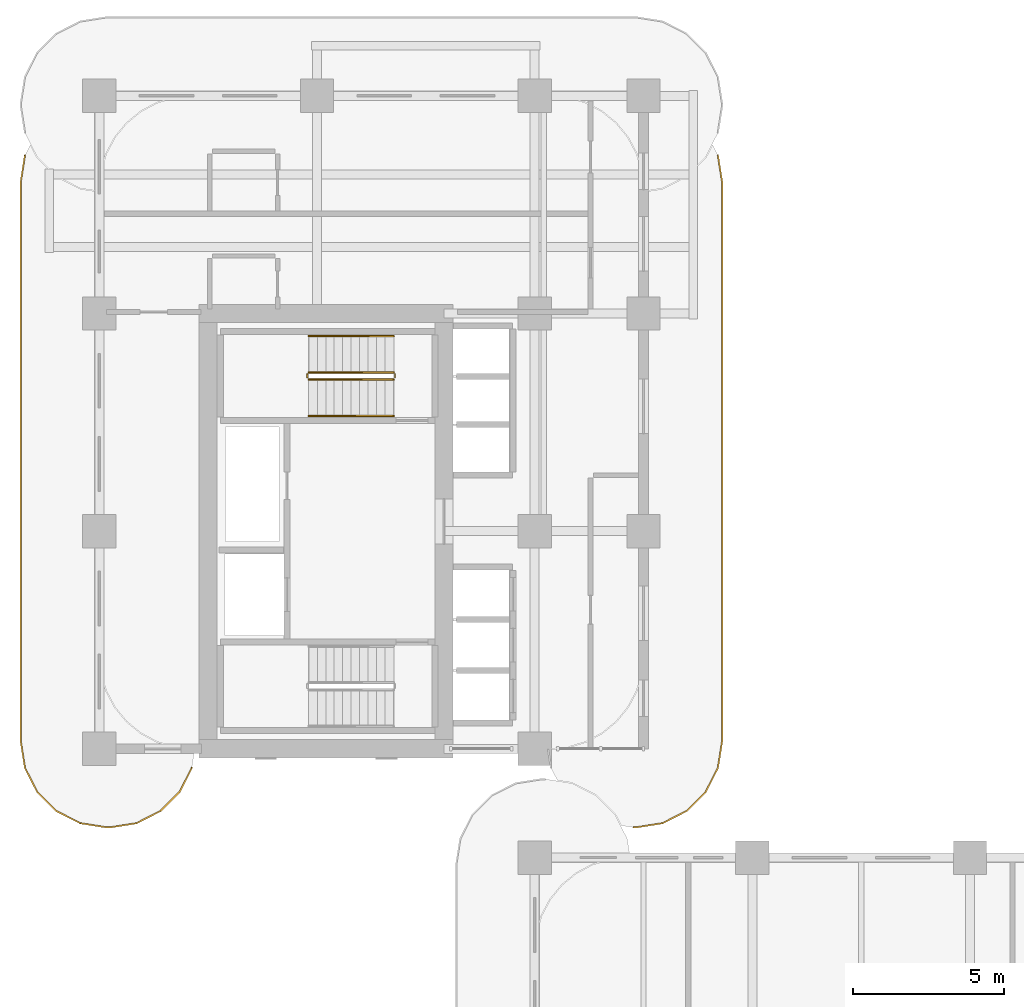
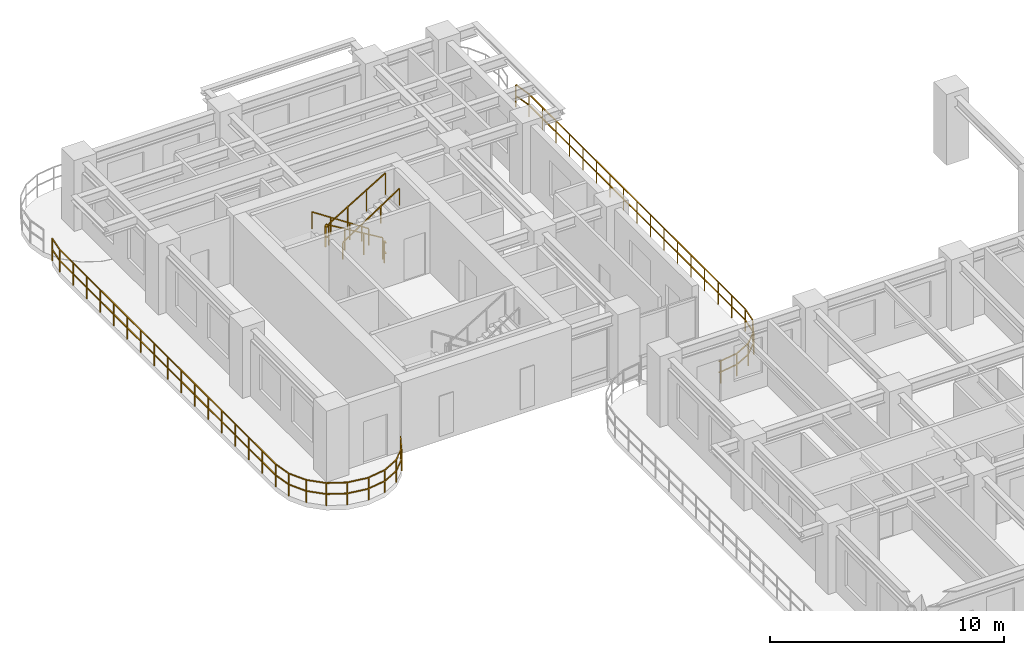
# One storey, part 18 of 19: 8 railings.
"""IFC4 building model written with IfcOpenShell, lengths in metres."""

from ifc_helpers import new_model, si_unit, derived_unit, direction, frame, origin, origin_2d, place, context, subcontext, project, spatial, rectangle, extrude, material, type_object, element, save


model = new_model("IFC4")

# Units and contexts
model_context = context("Model", 3, precision=1e-05, world=origin(), true_north=direction((0.0, 1.0)))
body_context = subcontext(model_context, "Body", "Model", "MODEL_VIEW")
ifc_project = project(units=[si_unit("LENGTHUNIT", "METRE"), si_unit("AREAUNIT", "SQUARE_METRE"), si_unit("VOLUMEUNIT", "CUBIC_METRE"), si_unit("PLANEANGLEUNIT", "RADIAN"), si_unit("MASSUNIT", "GRAM", prefix="KILO"), si_unit("THERMODYNAMICTEMPERATUREUNIT", "KELVIN"), si_unit("POWERUNIT", "WATT"), derived_unit("THERMALTRANSMITTANCEUNIT", [(si_unit("POWERUNIT", "WATT"), 1), (si_unit("AREAUNIT", "SQUARE_METRE"), -1), (si_unit("THERMODYNAMICTEMPERATUREUNIT", "KELVIN"), -1)])], contexts=[model_context])

# Site, building, storey
site_placement = place(None, origin())
site = spatial("IfcSite", under=ifc_project, at=site_placement, CompositionType="ELEMENT")
building_placement = place(site_placement, origin())
building = spatial("IfcBuilding", under=site, at=building_placement, Name="Zahravan Archway Hotel and Residences", CompositionType="ELEMENT")
storey_placement = place(building_placement, frame((0.0, 0.0, 32.39990234375)))
storey = spatial("IfcBuildingStorey", under=building, at=storey_placement, Name="L06", CompositionType="ELEMENT", Elevation=32.39990234375)

# Railings
ifc_material_1 = material(Name="Bronze & Laminated Glass Balustrade", Category="glass")
railing_type_1 = type_object("IfcRailingType", Name="RL-BAL-1200", PredefinedType="BALUSTRADE", material=ifc_material_1)
railing_1_placement = place(storey_placement, frame((3.060546875, 24.5693359375, 0.0)))
element("IfcRailing", 1, at=railing_1_placement, inside=storey, type_object=railing_type_1, Name="L06 Balustrade RL-SLB-BAL-L06-WB-1", PredefinedType="BALUSTRADE", context=body_context, shape_type="SweptSolid", body=[
    extrude(rectangle(XDim=0.048095703125, YDim=0.048095703125, at=origin_2d()), frame((0.0, 0.0, 1.17578125), z_axis=(-0.453991409995, -0.891006060389, 0.0), x_axis=(0.891006060389, -0.453991409995, 0.0)), (0.0, 0.0, 1.0), 0.8916015625),
    extrude(rectangle(XDim=0.048095703125, YDim=0.048095703125, at=origin_2d()), frame((0.0, 0.0, 0.60009765625), z_axis=(-0.453991409995, -0.891006060389, 0.0), x_axis=(0.891006060389, -0.453991409995, 0.0)), (0.0, 0.0, 1.0), 0.8916015625),
    extrude(rectangle(XDim=0.048095703125, YDim=0.048095703125, at=origin_2d()), frame((-0.40478515625, -0.79443359375, 1.17578125), z_axis=(-0.707106781187, -0.707106781187, 0.0), x_axis=(0.707106781187, -0.707106781187, 0.0)), (0.0, 0.0, 1.0), 0.891845703125),
    extrude(rectangle(XDim=0.048095703125, YDim=0.048095703125, at=origin_2d()), frame((-0.40478515625, -0.79443359375, 0.60009765625), z_axis=(-0.707106781187, -0.707106781187, 0.0), x_axis=(0.707106781187, -0.707106781187, 0.0)), (0.0, 0.0, 1.0), 0.891845703125),
    extrude(rectangle(XDim=0.048095703125, YDim=0.048095703125, at=origin_2d()), frame((-1.035400390625, -1.425048828125, 1.17578125), z_axis=(-0.891006060389, -0.453991409995, 0.0), x_axis=(0.453991409995, -0.891006060389, 0.0)), (0.0, 0.0, 1.0), 0.8916015625),
    extrude(rectangle(XDim=0.048095703125, YDim=0.048095703125, at=origin_2d()), frame((-1.035400390625, -1.425048828125, 0.60009765625), z_axis=(-0.891006060389, -0.453991409995, 0.0), x_axis=(0.453991409995, -0.891006060389, 0.0)), (0.0, 0.0, 1.0), 0.8916015625),
    extrude(rectangle(XDim=0.048095703125, YDim=0.048095703125, at=origin_2d()), frame((-1.829833984375, -1.829833984375, 1.17578125), z_axis=(-0.987700720307, -0.156356282588, 0.0), x_axis=(0.156356282588, -0.987700720307, 0.0)), (0.0, 0.0, 1.0), 0.8916015625),
    extrude(rectangle(XDim=0.048095703125, YDim=0.048095703125, at=origin_2d()), frame((-1.829833984375, -1.829833984375, 0.60009765625), z_axis=(-0.987700720307, -0.156356282588, 0.0), x_axis=(0.156356282588, -0.987700720307, 0.0)), (0.0, 0.0, 1.0), 0.8916015625),
    extrude(rectangle(XDim=0.048095703125, YDim=0.048095703125, at=origin_2d()), frame((-2.71044921875, -1.96923828125, 1.17578125), z_axis=(-1.0, 0.0, 0.0), x_axis=(0.0, -1.0, 0.0)), (0.0, 0.0, 1.0), 0.10009765625),
    extrude(rectangle(XDim=0.048095703125, YDim=0.048095703125, at=origin_2d()), frame((-2.71044921875, -1.96923828125, 0.60009765625), z_axis=(-1.0, 0.0, 0.0), x_axis=(0.0, -1.0, 0.0)), (0.0, 0.0, 1.0), 0.10009765625),
    extrude(rectangle(XDim=0.048095703125, YDim=0.048095703125, at=origin_2d()), frame((-2.810546875, -1.96923828125, 1.17578125), z_axis=(-0.987700720307, 0.156356282588, 0.0), x_axis=(-0.156356282588, -0.987700720307, 0.0)), (0.0, 0.0, 1.0), 0.8916015625),
    extrude(rectangle(XDim=0.048095703125, YDim=0.048095703125, at=origin_2d()), frame((-2.810546875, -1.96923828125, 0.60009765625), z_axis=(-0.987700720307, 0.156356282588, 0.0), x_axis=(-0.156356282588, -0.987700720307, 0.0)), (0.0, 0.0, 1.0), 0.8916015625),
    extrude(rectangle(XDim=0.048095703125, YDim=0.048095703125, at=origin_2d()), frame((-3.691162109375, -1.829833984375, 1.17578125), z_axis=(-0.891062476022, 0.45388067135, 0.0), x_axis=(-0.45388067135, -0.891062476022, 0.0)), (0.0, 0.0, 1.0), 0.891845703125),
    extrude(rectangle(XDim=0.048095703125, YDim=0.048095703125, at=origin_2d()), frame((-3.691162109375, -1.829833984375, 0.60009765625), z_axis=(-0.891062476022, 0.45388067135, 0.0), x_axis=(-0.45388067135, -0.891062476022, 0.0)), (0.0, 0.0, 1.0), 0.891845703125),
    extrude(rectangle(XDim=0.048095703125, YDim=0.048095703125, at=origin_2d()), frame((-4.48583984375, -1.425048828125, 1.17578125), z_axis=(-0.706969864397, 0.70724367147, 0.0), x_axis=(-0.70724367147, -0.706969864397, 0.0)), (0.0, 0.0, 1.0), 0.8916015625),
    extrude(rectangle(XDim=0.048095703125, YDim=0.048095703125, at=origin_2d()), frame((-4.48583984375, -1.425048828125, 0.60009765625), z_axis=(-0.706969864397, 0.70724367147, 0.0), x_axis=(-0.70724367147, -0.706969864397, 0.0)), (0.0, 0.0, 1.0), 0.8916015625),
    extrude(rectangle(XDim=0.048095703125, YDim=0.048095703125, at=origin_2d()), frame((-5.1162109375, -0.79443359375, 1.17578125), z_axis=(-0.453991409995, 0.891006060389, 0.0), x_axis=(-0.891006060389, -0.453991409995, 0.0)), (0.0, 0.0, 1.0), 0.8916015625),
    extrude(rectangle(XDim=0.048095703125, YDim=0.048095703125, at=origin_2d()), frame((-5.1162109375, -0.79443359375, 0.60009765625), z_axis=(-0.453991409995, 0.891006060389, 0.0), x_axis=(-0.891006060389, -0.453991409995, 0.0)), (0.0, 0.0, 1.0), 0.8916015625),
    extrude(rectangle(XDim=0.048095703125, YDim=0.048095703125, at=origin_2d()), frame((-5.52099609375, 0.0, 1.17578125), z_axis=(-0.156623399917, 0.987658397726, 0.0), x_axis=(-0.987658397726, -0.156623399917, 0.0)), (0.0, 0.0, 1.0), 0.8916015625),
    extrude(rectangle(XDim=0.048095703125, YDim=0.048095703125, at=origin_2d()), frame((-5.52099609375, 0.0, 0.60009765625), z_axis=(-0.156623399917, 0.987658397726, 0.0), x_axis=(-0.987658397726, -0.156623399917, 0.0)), (0.0, 0.0, 1.0), 0.8916015625),
    extrude(rectangle(XDim=0.048095703125, YDim=0.048095703125, at=origin_2d()), frame((-5.66064453125, 0.880615234375, 1.17578125), z_axis=(0.0, 1.0, 0.0), x_axis=(-1.0, 0.0, 0.0)), (0.0, 0.0, 1.0), 18.5),
    extrude(rectangle(XDim=0.048095703125, YDim=0.048095703125, at=origin_2d()), frame((-5.66064453125, 0.880615234375, 0.60009765625), z_axis=(0.0, 1.0, 0.0), x_axis=(-1.0, 0.0, 0.0)), (0.0, 0.0, 1.0), 18.5),
    extrude(rectangle(XDim=0.048095703125, YDim=0.048095703125, at=origin_2d()), frame((-5.66064453125, 19.380615234375, 1.17578125), z_axis=(0.156581054338, 0.98766511198, 0.0), x_axis=(-0.98766511198, 0.156581054338, 0.0)), (0.0, 0.0, 1.0), 0.891845703125),
    extrude(rectangle(XDim=0.048095703125, YDim=0.048095703125, at=origin_2d()), frame((-5.66064453125, 19.380615234375, 0.60009765625), z_axis=(0.156581054338, 0.98766511198, 0.0), x_axis=(-0.98766511198, 0.156581054338, 0.0)), (0.0, 0.0, 1.0), 0.891845703125),
    extrude(rectangle(XDim=0.0419921875, YDim=0.0419921875, at=origin_2d()), origin(), (0.0, 0.0, 1.0), 1.15185546875),
    extrude(rectangle(XDim=0.0419921875, YDim=0.0419921875, at=origin_2d()), frame((-0.40478515625, -0.79443359375, 0.0)), (0.0, 0.0, 1.0), 1.15185546875),
    extrude(rectangle(XDim=0.0419921875, YDim=0.0419921875, at=origin_2d()), frame((-1.035400390625, -1.425048828125, 0.0)), (0.0, 0.0, 1.0), 1.15185546875),
    extrude(rectangle(XDim=0.0419921875, YDim=0.0419921875, at=origin_2d()), frame((-1.829833984375, -1.829833984375, 0.0)), (0.0, 0.0, 1.0), 1.15185546875),
    extrude(rectangle(XDim=0.0419921875, YDim=0.0419921875, at=origin_2d()), frame((-2.71044921875, -1.96923828125, 0.0)), (0.0, 0.0, 1.0), 1.15185546875),
    extrude(rectangle(XDim=0.0419921875, YDim=0.0419921875, at=origin_2d()), frame((-3.691162109375, -1.829833984375, 0.0)), (0.0, 0.0, 1.0), 1.15185546875),
    extrude(rectangle(XDim=0.0419921875, YDim=0.0419921875, at=origin_2d()), frame((-4.48583984375, -1.425048828125, 0.0)), (0.0, 0.0, 1.0), 1.15185546875),
    extrude(rectangle(XDim=0.0419921875, YDim=0.0419921875, at=origin_2d()), frame((-5.1162109375, -0.79443359375, 0.0)), (0.0, 0.0, 1.0), 1.15185546875),
    extrude(rectangle(XDim=0.0419921875, YDim=0.0419921875, at=origin_2d()), frame((-5.52099609375, 0.0, 0.0)), (0.0, 0.0, 1.0), 1.15185546875),
    extrude(rectangle(XDim=0.0419921875, YDim=0.0419921875, at=origin_2d()), frame((-5.66064453125, 0.880615234375, 0.0)), (0.0, 0.0, 1.0), 1.15185546875),
    extrude(rectangle(XDim=0.0419921875, YDim=0.0419921875, at=origin_2d()), frame((-5.66064453125, 2.036865234375, 0.0)), (0.0, 0.0, 1.0), 1.15185546875),
    extrude(rectangle(XDim=0.0419921875, YDim=0.0419921875, at=origin_2d()), frame((-5.66064453125, 3.193115234375, 0.0)), (0.0, 0.0, 1.0), 1.15185546875),
    extrude(rectangle(XDim=0.0419921875, YDim=0.0419921875, at=origin_2d()), frame((-5.66064453125, 4.349365234375, 0.0)), (0.0, 0.0, 1.0), 1.15185546875),
    extrude(rectangle(XDim=0.0419921875, YDim=0.0419921875, at=origin_2d()), frame((-5.66064453125, 5.505615234375, 0.0)), (0.0, 0.0, 1.0), 1.15185546875),
    extrude(rectangle(XDim=0.0419921875, YDim=0.0419921875, at=origin_2d()), frame((-5.66064453125, 6.661865234375, 0.0)), (0.0, 0.0, 1.0), 1.15185546875),
    extrude(rectangle(XDim=0.0419921875, YDim=0.0419921875, at=origin_2d()), frame((-5.66064453125, 7.818115234375, 0.0)), (0.0, 0.0, 1.0), 1.15185546875),
    extrude(rectangle(XDim=0.0419921875, YDim=0.0419921875, at=origin_2d()), frame((-5.66064453125, 8.974365234375, 0.0)), (0.0, 0.0, 1.0), 1.15185546875),
    extrude(rectangle(XDim=0.0419921875, YDim=0.0419921875, at=origin_2d()), frame((-5.66064453125, 10.130615234375, 0.0)), (0.0, 0.0, 1.0), 1.15185546875),
    extrude(rectangle(XDim=0.0419921875, YDim=0.0419921875, at=origin_2d()), frame((-5.66064453125, 11.286865234375, 0.0)), (0.0, 0.0, 1.0), 1.15185546875),
    extrude(rectangle(XDim=0.0419921875, YDim=0.0419921875, at=origin_2d()), frame((-5.66064453125, 12.443115234375, 0.0)), (0.0, 0.0, 1.0), 1.15185546875),
    extrude(rectangle(XDim=0.0419921875, YDim=0.0419921875, at=origin_2d()), frame((-5.66064453125, 13.599365234375, 0.0)), (0.0, 0.0, 1.0), 1.15185546875),
    extrude(rectangle(XDim=0.0419921875, YDim=0.0419921875, at=origin_2d()), frame((-5.66064453125, 14.755615234375, 0.0)), (0.0, 0.0, 1.0), 1.15185546875),
    extrude(rectangle(XDim=0.0419921875, YDim=0.0419921875, at=origin_2d()), frame((-5.66064453125, 15.911865234375, 0.0)), (0.0, 0.0, 1.0), 1.15185546875),
    extrude(rectangle(XDim=0.0419921875, YDim=0.0419921875, at=origin_2d()), frame((-5.66064453125, 17.068115234375, 0.0)), (0.0, 0.0, 1.0), 1.15185546875),
    extrude(rectangle(XDim=0.0419921875, YDim=0.0419921875, at=origin_2d()), frame((-5.66064453125, 18.224365234375, 0.0)), (0.0, 0.0, 1.0), 1.15185546875),
    extrude(rectangle(XDim=0.0419921875, YDim=0.0419921875, at=origin_2d()), frame((-5.66064453125, 19.380615234375, 0.0)), (0.0, 0.0, 1.0), 1.15185546875),
    extrude(rectangle(XDim=0.0419921875, YDim=0.0419921875, at=origin_2d()), frame((-5.52099609375, 20.261474609375, 0.0)), (0.0, 0.0, 1.0), 1.15185546875),
])
railing_2_placement = place(storey_placement, frame((20.46044921875, 44.830810546875, 0.0)))
element("IfcRailing", 2, at=railing_2_placement, inside=storey, type_object=railing_type_1, Name="L06 Balustrade RL-SLB-BAL-L06-EB-2", PredefinedType="BALUSTRADE", context=body_context, shape_type="SweptSolid", body=[
    extrude(rectangle(XDim=0.048095703125, YDim=0.048095703125, at=origin_2d()), frame((0.0, 0.0, 1.17578125), z_axis=(0.156581054338, -0.98766511198, 0.0), x_axis=(0.98766511198, 0.156581054338, 0.0)), (0.0, 0.0, 1.0), 0.891845703125),
    extrude(rectangle(XDim=0.048095703125, YDim=0.048095703125, at=origin_2d()), frame((0.0, 0.0, 0.60009765625), z_axis=(0.156581054338, -0.98766511198, 0.0), x_axis=(0.98766511198, 0.156581054338, 0.0)), (0.0, 0.0, 1.0), 0.891845703125),
    extrude(rectangle(XDim=0.048095703125, YDim=0.048095703125, at=origin_2d()), frame((0.1396484375, -0.880859375, 1.17578125), z_axis=(0.0, -1.0, 0.0), x_axis=(1.0, 0.0, 0.0)), (0.0, 0.0, 1.0), 18.5),
    extrude(rectangle(XDim=0.048095703125, YDim=0.048095703125, at=origin_2d()), frame((0.1396484375, -0.880859375, 0.60009765625), z_axis=(0.0, -1.0, 0.0), x_axis=(1.0, 0.0, 0.0)), (0.0, 0.0, 1.0), 18.5),
    extrude(rectangle(XDim=0.048095703125, YDim=0.048095703125, at=origin_2d()), frame((0.1396484375, -19.380859375, 1.17578125), z_axis=(-0.156623399917, -0.987658397726, 0.0), x_axis=(0.987658397726, -0.156623399917, 0.0)), (0.0, 0.0, 1.0), 0.8916015625),
    extrude(rectangle(XDim=0.048095703125, YDim=0.048095703125, at=origin_2d()), frame((0.1396484375, -19.380859375, 0.60009765625), z_axis=(-0.156623399917, -0.987658397726, 0.0), x_axis=(0.987658397726, -0.156623399917, 0.0)), (0.0, 0.0, 1.0), 0.8916015625),
    extrude(rectangle(XDim=0.048095703125, YDim=0.048095703125, at=origin_2d()), frame((0.0, -20.261474609375, 1.17578125), z_axis=(-0.453991409995, -0.891006060389, 0.0), x_axis=(0.891006060389, -0.453991409995, 0.0)), (0.0, 0.0, 1.0), 0.8916015625),
    extrude(rectangle(XDim=0.048095703125, YDim=0.048095703125, at=origin_2d()), frame((0.0, -20.261474609375, 0.60009765625), z_axis=(-0.453991409995, -0.891006060389, 0.0), x_axis=(0.891006060389, -0.453991409995, 0.0)), (0.0, 0.0, 1.0), 0.8916015625),
    extrude(rectangle(XDim=0.048095703125, YDim=0.048095703125, at=origin_2d()), frame((-0.40478515625, -21.055908203125, 1.17578125), z_axis=(-0.706969864397, -0.70724367147, 0.0), x_axis=(0.70724367147, -0.706969864397, 0.0)), (0.0, 0.0, 1.0), 0.8916015625),
    extrude(rectangle(XDim=0.048095703125, YDim=0.048095703125, at=origin_2d()), frame((-0.40478515625, -21.055908203125, 0.60009765625), z_axis=(-0.706969864397, -0.70724367147, 0.0), x_axis=(0.70724367147, -0.706969864397, 0.0)), (0.0, 0.0, 1.0), 0.8916015625),
    extrude(rectangle(XDim=0.048095703125, YDim=0.048095703125, at=origin_2d()), frame((-1.03515625, -21.6865234375, 1.17578125), z_axis=(-0.891062476022, -0.45388067135, 0.0), x_axis=(0.45388067135, -0.891062476022, 0.0)), (0.0, 0.0, 1.0), 0.891845703125),
    extrude(rectangle(XDim=0.048095703125, YDim=0.048095703125, at=origin_2d()), frame((-1.03515625, -21.6865234375, 0.60009765625), z_axis=(-0.891062476022, -0.45388067135, 0.0), x_axis=(0.45388067135, -0.891062476022, 0.0)), (0.0, 0.0, 1.0), 0.891845703125),
    extrude(rectangle(XDim=0.048095703125, YDim=0.048095703125, at=origin_2d()), frame((-1.829833984375, -22.09130859375, 1.17578125), z_axis=(-0.987700720307, -0.156356282588, 0.0), x_axis=(0.156356282588, -0.987700720307, 0.0)), (0.0, 0.0, 1.0), 0.8916015625),
    extrude(rectangle(XDim=0.048095703125, YDim=0.048095703125, at=origin_2d()), frame((-1.829833984375, -22.09130859375, 0.60009765625), z_axis=(-0.987700720307, -0.156356282588, 0.0), x_axis=(0.156356282588, -0.987700720307, 0.0)), (0.0, 0.0, 1.0), 0.8916015625),
    extrude(rectangle(XDim=0.048095703125, YDim=0.048095703125, at=origin_2d()), frame((-2.71044921875, -22.230712890625, 1.17578125), z_axis=(-1.0, 0.0, 0.0), x_axis=(0.0, -1.0, 0.0)), (0.0, 0.0, 1.0), 0.10009765625),
    extrude(rectangle(XDim=0.048095703125, YDim=0.048095703125, at=origin_2d()), frame((-2.71044921875, -22.230712890625, 0.60009765625), z_axis=(-1.0, 0.0, 0.0), x_axis=(0.0, -1.0, 0.0)), (0.0, 0.0, 1.0), 0.10009765625),
    extrude(rectangle(XDim=0.0419921875, YDim=0.0419921875, at=origin_2d()), origin(), (0.0, 0.0, 1.0), 1.15185546875),
    extrude(rectangle(XDim=0.0419921875, YDim=0.0419921875, at=origin_2d()), frame((0.1396484375, -0.880859375, 0.0)), (0.0, 0.0, 1.0), 1.15185546875),
    extrude(rectangle(XDim=0.0419921875, YDim=0.0419921875, at=origin_2d()), frame((0.1396484375, -2.037109375, 0.0)), (0.0, 0.0, 1.0), 1.15185546875),
    extrude(rectangle(XDim=0.0419921875, YDim=0.0419921875, at=origin_2d()), frame((0.1396484375, -3.193359375, 0.0)), (0.0, 0.0, 1.0), 1.15185546875),
    extrude(rectangle(XDim=0.0419921875, YDim=0.0419921875, at=origin_2d()), frame((0.1396484375, -4.349609375, 0.0)), (0.0, 0.0, 1.0), 1.15185546875),
    extrude(rectangle(XDim=0.0419921875, YDim=0.0419921875, at=origin_2d()), frame((0.1396484375, -5.505859375, 0.0)), (0.0, 0.0, 1.0), 1.15185546875),
    extrude(rectangle(XDim=0.0419921875, YDim=0.0419921875, at=origin_2d()), frame((0.1396484375, -6.662109375, 0.0)), (0.0, 0.0, 1.0), 1.15185546875),
    extrude(rectangle(XDim=0.0419921875, YDim=0.0419921875, at=origin_2d()), frame((0.1396484375, -7.818359375, 0.0)), (0.0, 0.0, 1.0), 1.15185546875),
    extrude(rectangle(XDim=0.0419921875, YDim=0.0419921875, at=origin_2d()), frame((0.1396484375, -8.974609375, 0.0)), (0.0, 0.0, 1.0), 1.15185546875),
    extrude(rectangle(XDim=0.0419921875, YDim=0.0419921875, at=origin_2d()), frame((0.1396484375, -10.130859375, 0.0)), (0.0, 0.0, 1.0), 1.15185546875),
    extrude(rectangle(XDim=0.0419921875, YDim=0.0419921875, at=origin_2d()), frame((0.1396484375, -11.287109375, 0.0)), (0.0, 0.0, 1.0), 1.15185546875),
    extrude(rectangle(XDim=0.0419921875, YDim=0.0419921875, at=origin_2d()), frame((0.1396484375, -12.443359375, 0.0)), (0.0, 0.0, 1.0), 1.15185546875),
    extrude(rectangle(XDim=0.0419921875, YDim=0.0419921875, at=origin_2d()), frame((0.1396484375, -13.599609375, 0.0)), (0.0, 0.0, 1.0), 1.15185546875),
    extrude(rectangle(XDim=0.0419921875, YDim=0.0419921875, at=origin_2d()), frame((0.1396484375, -14.755859375, 0.0)), (0.0, 0.0, 1.0), 1.15185546875),
    extrude(rectangle(XDim=0.0419921875, YDim=0.0419921875, at=origin_2d()), frame((0.1396484375, -15.912109375, 0.0)), (0.0, 0.0, 1.0), 1.15185546875),
    extrude(rectangle(XDim=0.0419921875, YDim=0.0419921875, at=origin_2d()), frame((0.1396484375, -17.068359375, 0.0)), (0.0, 0.0, 1.0), 1.15185546875),
    extrude(rectangle(XDim=0.0419921875, YDim=0.0419921875, at=origin_2d()), frame((0.1396484375, -18.224609375, 0.0)), (0.0, 0.0, 1.0), 1.15185546875),
    extrude(rectangle(XDim=0.0419921875, YDim=0.0419921875, at=origin_2d()), frame((0.1396484375, -19.380859375, 0.0)), (0.0, 0.0, 1.0), 1.15185546875),
    extrude(rectangle(XDim=0.0419921875, YDim=0.0419921875, at=origin_2d()), frame((0.0, -20.261474609375, 0.0)), (0.0, 0.0, 1.0), 1.15185546875),
    extrude(rectangle(XDim=0.0419921875, YDim=0.0419921875, at=origin_2d()), frame((-0.40478515625, -21.055908203125, 0.0)), (0.0, 0.0, 1.0), 1.15185546875),
    extrude(rectangle(XDim=0.0419921875, YDim=0.0419921875, at=origin_2d()), frame((-1.03515625, -21.6865234375, 0.0)), (0.0, 0.0, 1.0), 1.15185546875),
    extrude(rectangle(XDim=0.0419921875, YDim=0.0419921875, at=origin_2d()), frame((-1.829833984375, -22.09130859375, 0.0)), (0.0, 0.0, 1.0), 1.15185546875),
    extrude(rectangle(XDim=0.0419921875, YDim=0.0419921875, at=origin_2d()), frame((-2.71044921875, -22.230712890625, 0.0)), (0.0, 0.0, 1.0), 1.15185546875),
])
ifc_material_2 = material(Name="Painted Tubular Steel", Category="steel")
railing_type_2 = type_object("IfcRailingType", Name="RL-STG-1150", PredefinedType="GUARDRAIL", material=ifc_material_2)
railing_3_placement = place(storey_placement, frame((9.72998046875, 37.64990234375, 0.168212890625)))
element("IfcRailing", 3, at=railing_3_placement, inside=storey, type_object=railing_type_2, Name="L06 ST-B2 stair guard 1", PredefinedType="GUARDRAIL", context=body_context, shape_type="SweptSolid", body=[
    extrude(rectangle(XDim=0.048095703125, YDim=0.048095703125, at=origin_2d()), frame((0.0, 0.0, 1.1259765625), z_axis=(-0.857242210791, 0.0, 0.514913383045), x_axis=(0.0, -1.0, 0.0)), (0.0, 0.0, 1.0), 3.266357421875),
    extrude(rectangle(XDim=0.0419921875, YDim=0.0419921875, at=origin_2d()), origin(), (0.0, 0.0, 1.0), 1.101806640625),
    extrude(rectangle(XDim=0.0419921875, YDim=0.0419921875, at=origin_2d()), frame((-0.933349609375, 0.0, 0.560546875)), (0.0, 0.0, 1.0), 1.101806640625),
    extrude(rectangle(XDim=0.0419921875, YDim=0.0419921875, at=origin_2d()), frame((-1.86669921875, 0.0, 1.121337890625)), (0.0, 0.0, 1.0), 1.101806640625),
    extrude(rectangle(XDim=0.0419921875, YDim=0.0419921875, at=origin_2d()), frame((-2.800048828125, 0.0, 1.681884765625)), (0.0, 0.0, 1.0), 1.101806640625),
])
railing_4_placement = place(storey_placement, frame((6.8798828125, 37.60009765625, 1.85009765625)))
element("IfcRailing", 4, at=railing_4_placement, inside=storey, type_object=railing_type_2, Name="L06 ST-B2 stair guard 2", PredefinedType="GUARDRAIL", context=body_context, shape_type="SweptSolid", body=[
    extrude(rectangle(XDim=0.048095703125, YDim=0.048095703125, at=origin_2d()), frame((0.0, 0.0, 1.1259765625), z_axis=(0.0, -1.0, 0.0), x_axis=(1.0, 0.0, 0.0)), (0.0, 0.0, 1.0), 0.14013671875),
    extrude(rectangle(XDim=0.048095703125, YDim=0.048095703125, at=origin_2d()), frame((0.0, 0.0, 0.574951171875), z_axis=(0.0, -1.0, 0.0), x_axis=(1.0, 0.0, 0.0)), (0.0, 0.0, 1.0), 0.14013671875),
    extrude(rectangle(XDim=0.0419921875, YDim=0.0419921875, at=origin_2d()), origin(), (0.0, 0.0, 1.0), 1.101806640625),
])
railing_5_placement = place(storey_placement, frame((6.929931640625, 37.409912109375, 2.018310546875)))
element("IfcRailing", 5, at=railing_5_placement, inside=storey, type_object=railing_type_2, Name="L06 ST-B2 stair guard 3", PredefinedType="GUARDRAIL", context=body_context, shape_type="SweptSolid", body=[
    extrude(rectangle(XDim=0.048095703125, YDim=0.048095703125, at=origin_2d()), frame((0.0, 0.0, 1.1259765625), z_axis=(0.857242210791, 0.0, 0.514913383045), x_axis=(0.0, 1.0, 0.0)), (0.0, 0.0, 1.0), 3.266357421875),
    extrude(rectangle(XDim=0.0419921875, YDim=0.0419921875, at=origin_2d()), origin(), (0.0, 0.0, 1.0), 1.101806640625),
    extrude(rectangle(XDim=0.0419921875, YDim=0.0419921875, at=origin_2d()), frame((0.933349609375, 0.0, 0.560546875)), (0.0, 0.0, 1.0), 1.101806640625),
    extrude(rectangle(XDim=0.0419921875, YDim=0.0419921875, at=origin_2d()), frame((1.86669921875, 0.0, 1.121337890625)), (0.0, 0.0, 1.0), 1.101806640625),
    extrude(rectangle(XDim=0.0419921875, YDim=0.0419921875, at=origin_2d()), frame((2.800048828125, 0.0, 1.681884765625)), (0.0, 0.0, 1.0), 1.101806640625),
])
railing_6_placement = place(storey_placement, frame((9.780029296875, 37.60009765625, 0.0)))
element("IfcRailing", 6, at=railing_6_placement, inside=storey, type_object=railing_type_2, Name="L06 ST-B2 stair guard 4", PredefinedType="GUARDRAIL", context=body_context, shape_type="SweptSolid", body=[
    extrude(rectangle(XDim=0.048095703125, YDim=0.048095703125, at=origin_2d()), frame((0.0, 0.0, 1.1259765625), z_axis=(0.0, -1.0, 0.0), x_axis=(1.0, 0.0, 0.0)), (0.0, 0.0, 1.0), 0.14013671875),
    extrude(rectangle(XDim=0.048095703125, YDim=0.048095703125, at=origin_2d()), frame((0.0, 0.0, 0.574951171875), z_axis=(0.0, -1.0, 0.0), x_axis=(1.0, 0.0, 0.0)), (0.0, 0.0, 1.0), 0.14013671875),
    extrude(rectangle(XDim=0.0419921875, YDim=0.0419921875, at=origin_2d()), origin(), (0.0, 0.0, 1.0), 1.101806640625),
])
ifc_material_3 = material(Name="Brushed Stainless Steel", Category="steel")
railing_type_3 = type_object("IfcRailingType", Name="RL-STH-900", PredefinedType="HANDRAIL", material=ifc_material_3)
railing_7_placement = place(storey_placement, frame((9.72998046875, 38.85009765625, 0.168212890625)))
element("IfcRailing", 7, at=railing_7_placement, inside=storey, type_object=railing_type_3, Name="L06 ST-B2 stair handrail 1", PredefinedType="HANDRAIL", context=body_context, shape_type="SweptSolid", body=[
    extrude(rectangle(XDim=0.048095703125, YDim=0.048095703125, at=origin_2d()), frame((0.0, 0.0, 0.8759765625), z_axis=(-0.834326358476, 0.0, 0.551270829586), x_axis=(0.0, -1.0, 0.0)), (0.0, 0.0, 1.0), 3.35595703125),
    extrude(rectangle(XDim=0.0419921875, YDim=0.0419921875, at=origin_2d()), origin(), (0.0, 0.0, 1.0), 0.851806640625),
    extrude(rectangle(XDim=0.0419921875, YDim=0.0419921875, at=origin_2d()), frame((-0.933349609375, 0.0, 0.61669921875)), (0.0, 0.0, 1.0), 0.851806640625),
    extrude(rectangle(XDim=0.0419921875, YDim=0.0419921875, at=origin_2d()), frame((-1.86669921875, 0.0, 1.2333984375)), (0.0, 0.0, 1.0), 0.851806640625),
    extrude(rectangle(XDim=0.0419921875, YDim=0.0419921875, at=origin_2d()), frame((-2.800048828125, 0.0, 1.85009765625)), (0.0, 0.0, 1.0), 0.851806640625),
])
railing_8_placement = place(storey_placement, frame((6.929931640625, 36.2099609375, 2.018310546875)))
element("IfcRailing", 8, at=railing_8_placement, inside=storey, type_object=railing_type_3, Name="L06 ST-B2 stair handrail 2", PredefinedType="HANDRAIL", context=body_context, shape_type="SweptSolid", body=[
    extrude(rectangle(XDim=0.048095703125, YDim=0.048095703125, at=origin_2d()), frame((0.0, 0.0, 0.8759765625), z_axis=(0.83435981716, 0.0, 0.551220187865), x_axis=(0.0, 1.0, 0.0)), (0.0, 0.0, 1.0), 3.35595703125),
    extrude(rectangle(XDim=0.0419921875, YDim=0.0419921875, at=origin_2d()), origin(), (0.0, 0.0, 1.0), 0.851806640625),
    extrude(rectangle(XDim=0.0419921875, YDim=0.0419921875, at=origin_2d()), frame((0.933349609375, 0.0, 0.61669921875)), (0.0, 0.0, 1.0), 0.851806640625),
    extrude(rectangle(XDim=0.0419921875, YDim=0.0419921875, at=origin_2d()), frame((1.86669921875, 0.0, 1.233154296875)), (0.0, 0.0, 1.0), 0.851806640625),
    extrude(rectangle(XDim=0.0419921875, YDim=0.0419921875, at=origin_2d()), frame((2.800048828125, 0.0, 1.849853515625)), (0.0, 0.0, 1.0), 0.851806640625),
])

save(model, "model.ifc")
